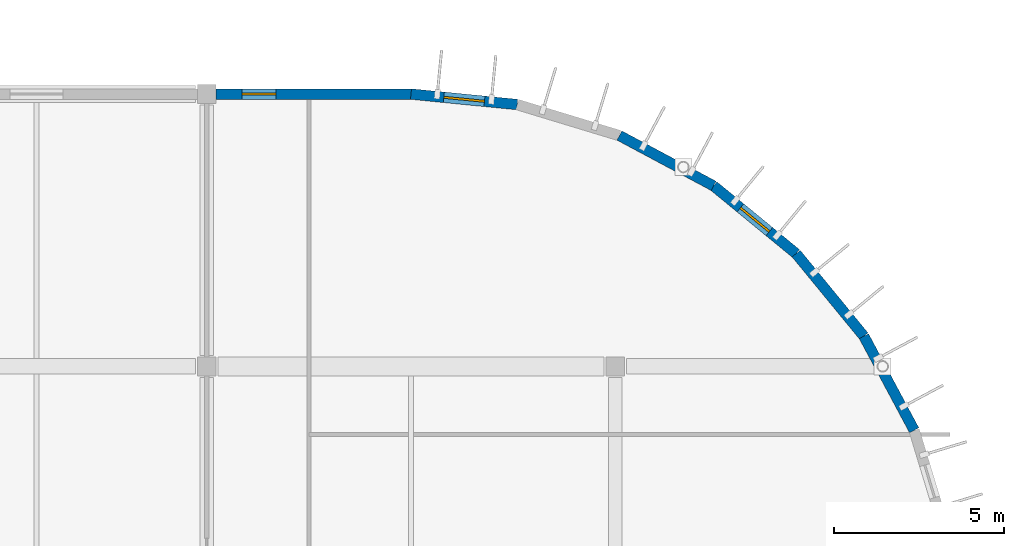
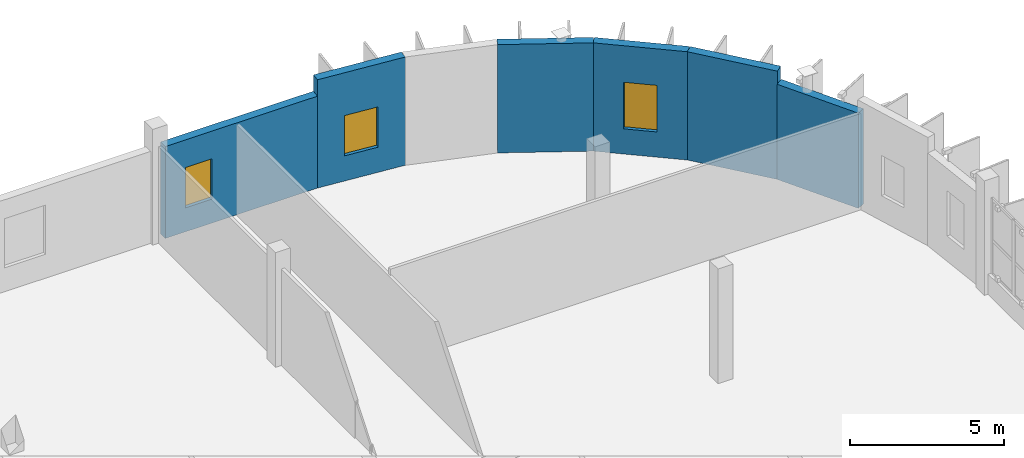
# One storey, part 77 of 93: 6 walls, 3 windows, 3 openings.
"""IFC4 building model written with IfcOpenShell, lengths in metres."""

from ifc_helpers import new_model, si_unit, direction, frame, frame_2d, origin, place, context, subcontext, project, spatial, rectangle, extrude, material, layer, layer_set, type_object, element, fill, save


model = new_model("IFC4")

# Units and contexts
model_context = context("Model", 3, precision=1e-05, world=origin(), true_north=direction((0.0, 1.0)))
body_context = subcontext(model_context, "Body", "Model", "MODEL_VIEW")
ifc_project = project(units=[si_unit("LENGTHUNIT", "METRE"), si_unit("AREAUNIT", "SQUARE_METRE"), si_unit("VOLUMEUNIT", "CUBIC_METRE"), si_unit("PLANEANGLEUNIT", "RADIAN"), si_unit("MASSUNIT", "GRAM", prefix="KILO")], contexts=[model_context])

# Site, building, storey
site_placement = place(None, origin())
site = spatial("IfcSite", under=ifc_project, at=site_placement, CompositionType="ELEMENT")
building_placement = place(site_placement, origin())
building = spatial("IfcBuilding", under=site, at=building_placement, Name="Drelvana Railside Aquatics Centre", CompositionType="ELEMENT")
storey_placement = place(building_placement, frame((0.0, 0.0, 5.39990234375)))
storey = spatial("IfcBuildingStorey", under=building, at=storey_placement, Name="L01", CompositionType="ELEMENT", Elevation=5.39990234375)

# Walls
ifc_material_1 = material(Name="Terracotta rainscreen masonry wall", Category="masonry")
ifc_layer = layer(ifc_material_1, 0.31005859375, Name="Terracotta rainscreen masonry wall")
ifc_layer_set = layer_set([ifc_layer], Name="Terracotta rainscreen masonry wall")
wall_type = type_object("IfcWallType", Name="WL-EXT-310", PredefinedType="STANDARD", material=ifc_layer_set)
wall_1_placement = place(storey_placement, frame((182.781982421875, 94.123046875, 0.0), z_axis=(0.0, 0.0, 1.0), x_axis=(-0.471396060548, 0.881921625826, 0.0)))
element("IfcWall", 1, at=wall_1_placement, inside=storey, type_object=wall_type, Name="V5NE curved wall 3", PredefinedType="STANDARD", context=body_context, shape_type="SweptSolid", body=[
    extrude(rectangle(XDim=3.136474609375, YDim=0.31005859375, at=frame_2d((1.568359375, 0.0))), origin(), (0.0, 0.0, 1.0), 3.780029296875),
])
wall_2_placement = place(storey_placement, frame((181.303466796875, 96.88916015625, 0.0), z_axis=(0.0, 0.0, 1.0), x_axis=(-0.634385792339, 0.773016601683, 0.0)))
element("IfcWall", 2, at=wall_2_placement, inside=storey, type_object=wall_type, Name="V5NE curved wall 4", PredefinedType="STANDARD", context=body_context, shape_type="SweptSolid", body=[
    extrude(rectangle(XDim=3.136474609375, YDim=0.31005859375, at=frame_2d((1.568359375, 0.0))), origin(), (0.0, 0.0, 1.0), 4.300048828125),
])

# Wall, opening, window
wall_3_placement = place(storey_placement, frame((179.313720703125, 99.313720703125, 0.0), z_axis=(0.0, 0.0, 1.0), x_axis=(-0.773016601683, 0.634385792339, 0.0)))
wall_3 = element("IfcWall", 3, at=wall_3_placement, inside=storey, type_object=wall_type, Name="V5NE curved wall 5", PredefinedType="STANDARD", context=body_context, shape_type="SweptSolid", body=[
    extrude(rectangle(XDim=3.136474609375, YDim=0.31005859375, at=frame_2d((1.568359375, 0.0))), origin(), (0.0, 0.0, 1.0), 4.300048828125),
])
opening_1_placement = place(wall_3_placement, frame((1.018310546875, 0.0, 1.0)))
opening_1 = element("IfcOpeningElement", 4, at=opening_1_placement, cuts=wall_3, Name="Opening W-07", PredefinedType="OPENING", context=body_context, shape_type="SweptSolid", body=[
    extrude(rectangle(XDim=1.10009765625, YDim=1.85009765625, at=frame_2d((0.550048828125, 0.925048828125))), frame((0.0, 0.1650390625, 0.0), z_axis=(0.0, -1.0, 0.0), x_axis=(1.0, 0.0, 0.0)), (0.0, 0.0, 1.0), 0.330078125),
])
ifc_material_2 = material(Name="Double-glazed solar-control aluminium window", Category="aluminium")
window_type_1 = type_object("IfcWindowType", Name="WIN-07", PartitioningType="SINGLE_PANEL", PredefinedType="WINDOW", material=ifc_material_2)
window_1_placement = place(opening_1_placement, origin())
window_1 = element("IfcWindow", 5, at=window_1_placement, inside=storey, type_object=window_type_1, Name="V5NE curved window WIN-07", OverallHeight=1.85009765625, OverallWidth=1.10009765625, PartitioningType="SINGLE_PANEL", PredefinedType="WINDOW", context=body_context, shape_type="SweptSolid", body=[
    extrude(rectangle(XDim=1.10009765625, YDim=1.85009765625, at=frame_2d((0.550048828125, 0.925048828125))), frame((0.0, 0.030029296875, 0.0), z_axis=(0.0, -1.0, 0.0), x_axis=(1.0, 0.0, 0.0)), (0.0, 0.0, 1.0), 0.06005859375),
])
fill(opening_1, window_1)

# Wall
wall_4_placement = place(storey_placement, frame((176.88916015625, 101.303466796875, 0.0), z_axis=(0.0, 0.0, 1.0), x_axis=(-0.881921625826, 0.471396060548, 0.0)))
element("IfcWall", 6, at=wall_4_placement, inside=storey, type_object=wall_type, Name="V5NE curved wall 6", PredefinedType="STANDARD", context=body_context, shape_type="SweptSolid", body=[
    extrude(rectangle(XDim=3.136474609375, YDim=0.31005859375, at=frame_2d((1.568359375, 0.0))), origin(), (0.0, 0.0, 1.0), 4.300048828125),
])

# Wall, opening, window
wall_5_placement = place(storey_placement, frame((171.121337890625, 103.692626953125, 0.0), z_axis=(0.0, 0.0, 1.0), x_axis=(-0.995186340733, 0.098000751113, 0.0)))
wall_5 = element("IfcWall", 7, at=wall_5_placement, inside=storey, type_object=wall_type, Name="V5NE curved wall 8", PredefinedType="STANDARD", context=body_context, shape_type="SweptSolid", body=[
    extrude(rectangle(XDim=3.136474609375, YDim=0.31005859375, at=frame_2d((1.568359375, 0.0))), origin(), (0.0, 0.0, 1.0), 4.300048828125),
])
opening_2_placement = place(wall_5_placement, frame((0.96826171875, 0.0, 1.0)))
opening_2 = element("IfcOpeningElement", 8, at=opening_2_placement, cuts=wall_5, Name="Opening W-10", PredefinedType="OPENING", context=body_context, shape_type="SweptSolid", body=[
    extrude(rectangle(XDim=1.199951171875, YDim=1.60009765625, at=frame_2d((0.60009765625, 0.800048828125))), frame((0.0, 0.1650390625, 0.0), z_axis=(0.0, -1.0, 0.0), x_axis=(1.0, 0.0, 0.0)), (0.0, 0.0, 1.0), 0.330078125),
])
window_type_2 = type_object("IfcWindowType", Name="WIN-10", PartitioningType="SINGLE_PANEL", PredefinedType="WINDOW", material=ifc_material_2)
window_2_placement = place(opening_2_placement, origin())
window_2 = element("IfcWindow", 9, at=window_2_placement, inside=storey, type_object=window_type_2, Name="V5NE curved window WIN-10", OverallHeight=1.60009765625, OverallWidth=1.199951171875, PartitioningType="SINGLE_PANEL", PredefinedType="WINDOW", context=body_context, shape_type="SweptSolid", body=[
    extrude(rectangle(XDim=1.199951171875, YDim=1.60009765625, at=frame_2d((0.60009765625, 0.800048828125))), frame((0.0, 0.030029296875, 0.0), z_axis=(0.0, -1.0, 0.0), x_axis=(1.0, 0.0, 0.0)), (0.0, 0.0, 1.0), 0.06005859375),
])
fill(opening_2, window_2)

wall_6_placement = place(storey_placement, frame((162.27099609375, 104.0, 0.0), z_axis=(0.0, 0.0, 1.0), x_axis=(1.0, 0.0, 0.0)))
wall_6 = element("IfcWall", 10, at=wall_6_placement, inside=storey, type_object=wall_type, Name="V5 L01 end bay wall", PredefinedType="STANDARD", context=body_context, shape_type="SweptSolid", body=[
    extrude(rectangle(XDim=5.7490234375, YDim=0.31005859375, at=frame_2d((2.87451171875, 0.0))), origin(), (0.0, 0.0, 1.0), 3.650146484375),
])
opening_3_placement = place(wall_6_placement, frame((0.759033203125, 0.0, 0.949951171875)))
opening_3 = element("IfcOpeningElement", 11, at=opening_3_placement, cuts=wall_6, Name="Opening W-04", PredefinedType="OPENING", context=body_context, shape_type="SweptSolid", body=[
    extrude(rectangle(XDim=1.0, YDim=1.60009765625, at=frame_2d((0.5, 0.800048828125))), frame((0.0, 0.1650390625, 0.0), z_axis=(0.0, -1.0, 0.0), x_axis=(1.0, 0.0, 0.0)), (0.0, 0.0, 1.0), 0.330078125),
])
window_type_3 = type_object("IfcWindowType", Name="WIN-04", PartitioningType="SINGLE_PANEL", PredefinedType="WINDOW", material=ifc_material_2)
window_3_placement = place(opening_3_placement, origin())
window_3 = element("IfcWindow", 12, at=window_3_placement, inside=storey, type_object=window_type_3, Name="V5 L01 end window WIN-04", OverallHeight=1.60009765625, OverallWidth=1.0, PartitioningType="SINGLE_PANEL", PredefinedType="WINDOW", context=body_context, shape_type="SweptSolid", body=[
    extrude(rectangle(XDim=1.0, YDim=1.60009765625, at=frame_2d((0.5, 0.800048828125))), frame((0.0, 0.030029296875, 0.0), z_axis=(0.0, -1.0, 0.0), x_axis=(1.0, 0.0, 0.0)), (0.0, 0.0, 1.0), 0.06005859375),
])
fill(opening_3, window_3)

save(model, "model.ifc")
